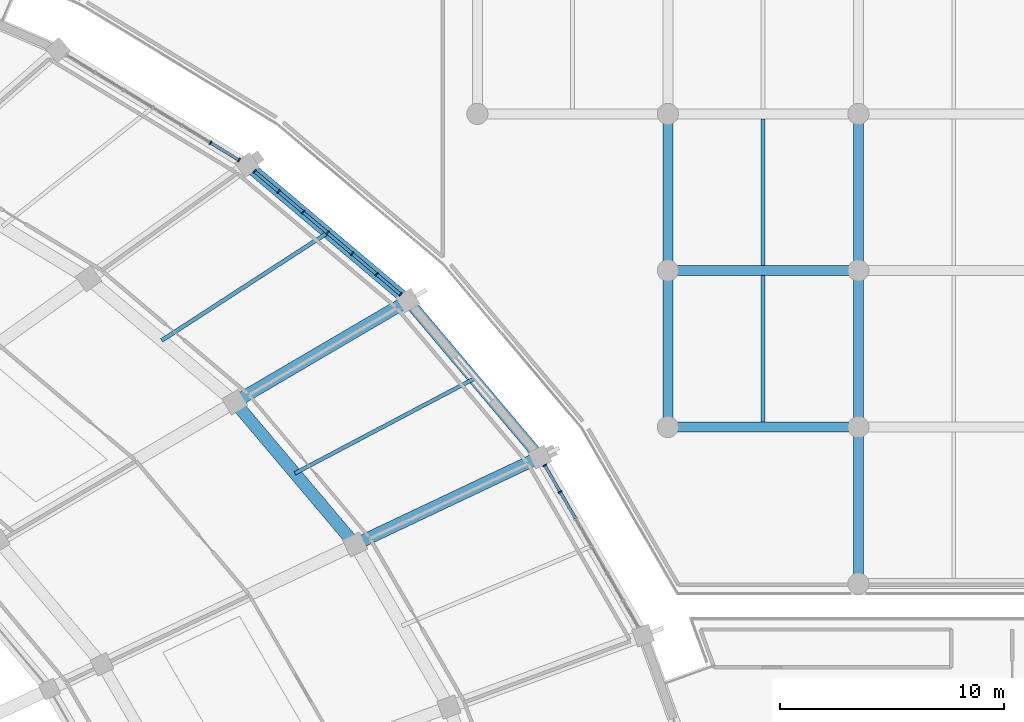
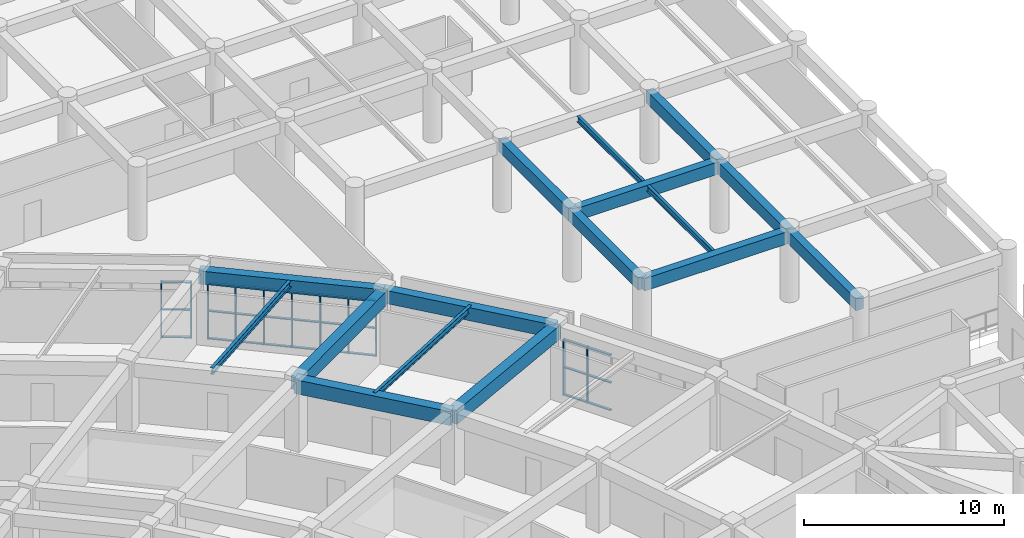
# One storey, part 75 of 145: 38 members, 16 beams, 3 elements without a shape of their own.
"""IFC4 building model written with IfcOpenShell, lengths in metres."""

from ifc_helpers import new_model, si_unit, direction, frame, origin, origin_2d, place, context, subcontext, project, spatial, rectangle, i_section, extrude, material, layer, layer_set, material_profile, profile_set, type_object, element, aggregate, save


model = new_model("IFC4")

# Units and contexts
model_context = context("Model", 3, precision=1e-05, world=origin(), true_north=direction((0.0, 1.0)))
body_context = subcontext(model_context, "Body", "Model", "MODEL_VIEW")
ifc_project = project(units=[si_unit("LENGTHUNIT", "METRE"), si_unit("AREAUNIT", "SQUARE_METRE"), si_unit("VOLUMEUNIT", "CUBIC_METRE"), si_unit("PLANEANGLEUNIT", "RADIAN"), si_unit("MASSUNIT", "GRAM", prefix="KILO")], contexts=[model_context])

# Site, building, storey
site_placement = place(None, origin())
site = spatial("IfcSite", under=ifc_project, at=site_placement, CompositionType="ELEMENT")
building_placement = place(site_placement, origin())
building = spatial("IfcBuilding", under=site, at=building_placement, Name="Mphavela Belvedere Stadium", CompositionType="ELEMENT")
storey_placement = place(building_placement, frame((0.0, 0.0, 10.199951171875)))
storey = spatial("IfcBuildingStorey", under=building, at=storey_placement, Name="L02", CompositionType="ELEMENT", Elevation=10.199951171875)

# Beams
ifc_material_1 = material(Name="Steel S355", Category="steel")
ifc_material_profile_1 = material_profile(ifc_material_1, i_section(OverallWidth=0.169921875, OverallDepth=0.360107421875, WebThickness=0.008056640625, FlangeThickness=0.0126953125, at=origin_2d()), Name="IPE 360")
ifc_profile_set_1 = profile_set([ifc_material_profile_1], Name="Steel S355")
beam_type_1 = type_object("IfcBeamType", Name="BM-JOIST-IPE360", PredefinedType="JOIST", material=ifc_profile_set_1)
beam_1_placement = place(storey_placement, frame((196.2880859375, 129.93115234375, 4.070068359375), z_axis=(0.884250771824, 0.467012390123, 0.0), x_axis=(-0.467012390123, 0.884250771824, 0.0)))
element("IfcBeam", 1, at=beam_1_placement, inside=storey, type_object=beam_type_1, Name="Concourse floor joist L02-05", PredefinedType="JOIST", context=body_context, shape_type="SweptSolid", body=[
    extrude(i_section(OverallWidth=0.169921875, OverallDepth=0.360107421875, WebThickness=0.008056640625, FlangeThickness=0.0126953125, at=origin_2d()), origin(), (0.0, 0.0, 1.0), 9.0498046875),
])
for number, where, z_axis, x_axis, name in (
    (2, (217.221923828125, 132.22509765625, 4.06005859375), (0.0, 1.0, 0.0), (-1.0, 0.0, 0.0), "North Mast and Ceremonial End Forecourt secondary joist L02 26-2"),
    (3, (217.221923828125, 139.22509765625, 4.06005859375), (0.0, 1.0, 0.0), (-1.0, 0.0, 0.0), "North Mast and Ceremonial End Forecourt secondary joist L02 26-3"),
):
    element("IfcBeam", number, at=place(storey_placement, frame(where, z_axis=z_axis, x_axis=x_axis)), inside=storey, type_object=beam_type_1, Name=name, PredefinedType="JOIST", context=body_context, shape_type="SweptSolid", body=[
        extrude(i_section(OverallWidth=0.169921875, OverallDepth=0.360107421875, WebThickness=0.008056640625, FlangeThickness=0.0126953125, at=origin_2d()), origin(), (0.0, 0.0, 1.0), 6.5498046875),
    ])
ifc_material_2 = material(Name="Steel S355", Category="steel")
ifc_material_profile_2 = material_profile(ifc_material_2, i_section(OverallWidth=0.179931640625, OverallDepth=0.39990234375, WebThickness=0.008544921875, FlangeThickness=0.013427734375, at=origin_2d()), Name="IPE 400")
ifc_profile_set_2 = profile_set([ifc_material_profile_2], Name="Steel S355")
beam_type_2 = type_object("IfcBeamType", Name="BM-JOIST-IPE400", PredefinedType="JOIST", material=ifc_profile_set_2)
beam_2_placement = place(storey_placement, frame((190.330810546875, 135.872802734375, 4.050048828125), z_axis=(0.838915278194, 0.544262028818, 0.0), x_axis=(-0.544262028818, 0.838915278194, 0.0)))
element("IfcBeam", 4, at=beam_2_placement, inside=storey, type_object=beam_type_2, Name="Concourse floor joist L02-06", PredefinedType="JOIST", context=body_context, shape_type="SweptSolid", body=[
    extrude(i_section(OverallWidth=0.179931640625, OverallDepth=0.39990234375, WebThickness=0.008544921875, FlangeThickness=0.013427734375, at=origin_2d()), origin(), (0.0, 0.0, 1.0), 8.840087890625),
])
ifc_material_3 = material(Name="Concrete C40/50", Category="concrete")
ifc_material_profile_3 = material_profile(ifc_material_3, rectangle(XDim=0.449951171875, YDim=0.75, at=origin_2d()), Name="RC 450x750")
ifc_profile_set_3 = profile_set([ifc_material_profile_3], Name="Concrete C40/50")
beam_type_3 = type_object("IfcBeamType", Name="BM-RC450x750", PredefinedType="BEAM", material=ifc_profile_set_3)
beam_3_placement = place(storey_placement, frame((212.962890625, 132.0, 3.864990234375), z_axis=(1.0, 0.0, 0.0), x_axis=(0.0, 1.0, 0.0)))
element("IfcBeam", 5, at=beam_3_placement, inside=storey, type_object=beam_type_3, Name="North Mast and Ceremonial End Forecourt entablature beam X L02 26-2", PredefinedType="BEAM", context=body_context, shape_type="SweptSolid", body=[
    extrude(rectangle(XDim=0.449951171875, YDim=0.75, at=origin_2d()), origin(), (0.0, 0.0, 1.0), 8.51806640625),
])
beam_4_placement = place(storey_placement, frame((212.962890625, 132.0, 3.864990234375), z_axis=(0.0, 1.0, 0.0), x_axis=(-1.0, 0.0, 0.0)))
element("IfcBeam", 6, at=beam_4_placement, inside=storey, type_object=beam_type_3, Name="North Mast and Ceremonial End Forecourt entablature beam Y L02 26-2", PredefinedType="BEAM", context=body_context, shape_type="SweptSolid", body=[
    extrude(rectangle(XDim=0.449951171875, YDim=0.75, at=origin_2d()), origin(), (0.0, 0.0, 1.0), 7.0),
])
beam_5_placement = place(storey_placement, frame((212.962890625, 139.0, 3.864990234375), z_axis=(1.0, 0.0, 0.0), x_axis=(0.0, 1.0, 0.0)))
element("IfcBeam", 7, at=beam_5_placement, inside=storey, type_object=beam_type_3, Name="North Mast and Ceremonial End Forecourt entablature beam X L02 26-3", PredefinedType="BEAM", context=body_context, shape_type="SweptSolid", body=[
    extrude(rectangle(XDim=0.449951171875, YDim=0.75, at=origin_2d()), origin(), (0.0, 0.0, 1.0), 8.51806640625),
])
for number, where, z_axis, x_axis, name in (
    (8, (212.962890625, 139.0, 3.864990234375), (0.0, 1.0, 0.0), (-1.0, 0.0, 0.0), "North Mast and Ceremonial End Forecourt entablature beam Y L02 26-3"),
    (9, (221.48095703125, 125.0, 3.864990234375), (0.0, 1.0, 0.0), (-1.0, 0.0, 0.0), "North Mast and Ceremonial End Forecourt entablature beam Y L02 27-1"),
    (10, (221.48095703125, 132.0, 3.864990234375), (0.0, 1.0, 0.0), (-1.0, 0.0, 0.0), "North Mast and Ceremonial End Forecourt entablature beam Y L02 27-2"),
    (11, (221.48095703125, 139.0, 3.864990234375), (0.0, 1.0, 0.0), (-1.0, 0.0, 0.0), "North Mast and Ceremonial End Forecourt entablature beam Y L02 27-3"),
):
    element("IfcBeam", number, at=place(storey_placement, frame(where, z_axis=z_axis, x_axis=x_axis)), inside=storey, type_object=beam_type_3, Name=name, PredefinedType="BEAM", context=body_context, shape_type="SweptSolid", body=[
        extrude(rectangle(XDim=0.449951171875, YDim=0.75, at=origin_2d()), origin(), (0.0, 0.0, 1.0), 7.0),
    ])
ifc_material_4 = material(Name="Concrete C40/50", Category="concrete")
ifc_material_profile_4 = material_profile(ifc_material_4, rectangle(XDim=0.550048828125, YDim=0.85009765625, at=origin_2d()), Name="RC 550x850")
ifc_profile_set_4 = profile_set([ifc_material_profile_4], Name="Concrete C40/50")
beam_type_4 = type_object("IfcBeamType", Name="BM-RC550x850", PredefinedType="BEAM", material=ifc_profile_set_4)
beam_6_placement = place(storey_placement, frame((198.9755859375, 126.748291015625, 3.824951171875), z_axis=(-0.645177396673, 0.764032804808, 0.0), x_axis=(-0.764032804808, -0.645177396673, 0.0)))
element("IfcBeam", 12, at=beam_6_placement, inside=storey, type_object=beam_type_4, Name="Circumferential girder L02 R3-05", PredefinedType="BEAM", context=body_context, shape_type="SweptSolid", body=[
    extrude(rectangle(XDim=0.550048828125, YDim=0.85009765625, at=origin_2d()), origin(), (0.0, 0.0, 1.0), 8.331298828125),
])
beam_7_placement = place(storey_placement, frame((198.9755859375, 126.748291015625, 3.824951171875), z_axis=(0.903845427073, 0.427859140325, 0.0), x_axis=(-0.427859140325, 0.903845427073, 0.0)))
element("IfcBeam", 13, at=beam_7_placement, inside=storey, type_object=beam_type_4, Name="Radial concourse girder L02 R3R4-05", PredefinedType="BEAM", context=body_context, shape_type="SweptSolid", body=[
    extrude(rectangle(XDim=0.550048828125, YDim=0.85009765625, at=origin_2d()), origin(), (0.0, 0.0, 1.0), 9.146240234375),
])
beam_8_placement = place(storey_placement, frame((193.600341796875, 133.11376953125, 3.824951171875), z_axis=(0.862517779395, 0.506026758411, 0.0), x_axis=(-0.506026758411, 0.862517779395, 0.0)))
element("IfcBeam", 14, at=beam_8_placement, inside=storey, type_object=beam_type_4, Name="Radial concourse girder L02 R3R4-06", PredefinedType="BEAM", context=body_context, shape_type="SweptSolid", body=[
    extrude(rectangle(XDim=0.550048828125, YDim=0.85009765625, at=origin_2d()), origin(), (0.0, 0.0, 1.0), 8.971435546875),
])
ifc_material_5 = material(Name="Concrete C40/50", Category="concrete")
ifc_material_profile_5 = material_profile(ifc_material_5, rectangle(XDim=0.5, YDim=0.800048828125, at=origin_2d()), Name="RC 500x800")
ifc_profile_set_5 = profile_set([ifc_material_profile_5], Name="Concrete C40/50")
beam_type_5 = type_object("IfcBeamType", Name="BM-SPANDREL-800", PredefinedType="SPANDREL", material=ifc_profile_set_5)
beam_9_placement = place(storey_placement, frame((207.242431640625, 130.66162109375, 3.85009765625), z_axis=(-0.645164552218, 0.764043650952, 0.0), x_axis=(-0.764043650952, -0.645164552218, 0.0)))
element("IfcBeam", 15, at=beam_9_placement, inside=storey, type_object=beam_type_5, Name="Circumferential girder L02 R4-05", PredefinedType="SPANDREL", context=body_context, shape_type="SweptSolid", body=[
    extrude(rectangle(XDim=0.5, YDim=0.800048828125, at=origin_2d()), origin(), (0.0, 0.0, 1.0), 9.151123046875),
])
beam_10_placement = place(storey_placement, frame((201.33837890625, 137.653564453125, 3.85009765625), z_axis=(-0.76426547638, 0.644901761212, 0.0), x_axis=(-0.644901761212, -0.76426547638, 0.0)))
element("IfcBeam", 16, at=beam_10_placement, inside=storey, type_object=beam_type_5, Name="Circumferential girder L02 R4-06", PredefinedType="SPANDREL", context=body_context, shape_type="SweptSolid", body=[
    extrude(rectangle(XDim=0.5, YDim=0.800048828125, at=origin_2d()), origin(), (0.0, 0.0, 1.0), 9.3984375),
])

# Curtain wall, members
ifc_material_6 = material(Name="Anodised bronze unitised curtain wall framing")
ifc_layer_1 = layer(ifc_material_6, 0.18505859375)
ifc_layer_set_1 = layer_set([ifc_layer_1], Name="Anodised bronze unitised curtain wall framing")
curtain_wall_type_1 = type_object("IfcCurtainWallType", Name="CW-UNIT-02", PredefinedType="USERDEFINED", material=ifc_layer_set_1)
curtain_wall_1_placement = place(storey_placement, origin())
curtain_wall_1 = element("IfcCurtainWall", 17, at=curtain_wall_1_placement, inside=storey, type_object=curtain_wall_type_1, Name="Belvedere colonnade curtain wall L02-04", ObjectType="UNITISED CURTAIN WALL", PredefinedType="USERDEFINED")
ifc_material_7 = material(Name="Anodised bronze extruded aluminium", Category="aluminium")
ifc_material_profile_6 = material_profile(ifc_material_7, rectangle(XDim=0.179931640625, YDim=0.06494140625, at=origin_2d()), Name="CW-MUL 180x65")
ifc_profile_set_6 = profile_set([ifc_material_profile_6], Name="Anodised bronze extruded aluminium")
member_type_1 = type_object("IfcMemberType", Name="CWM-180x65", PredefinedType="MULLION", material=ifc_profile_set_6)
member_1_placement = place(storey_placement, frame((208.144287109375, 129.101806640625, 0.0), z_axis=(0.0, 0.0, 1.0), x_axis=(-0.865700418213, -0.500562469533, 0.0)))
member_1 = element("IfcMember", 18, at=member_1_placement, type_object=member_type_1, Name="CW-02 mullion 6", PredefinedType="MULLION", context=body_context, shape_type="SweptSolid", body=[
    extrude(rectangle(XDim=0.179931640625, YDim=0.06494140625, at=origin_2d()), origin(), (0.0, 0.0, 1.0), 3.420166015625),
])
member_2_placement = place(storey_placement, frame((207.4580078125, 130.288818359375, 0.0), z_axis=(0.0, 0.0, 1.0), x_axis=(-0.865700418213, -0.500562469533, 0.0)))
member_2 = element("IfcMember", 19, at=member_2_placement, type_object=member_type_1, Name="CW-02 mullion 7", PredefinedType="MULLION", context=body_context, shape_type="SweptSolid", body=[
    extrude(rectangle(XDim=0.179931640625, YDim=0.06494140625, at=origin_2d()), origin(), (0.0, 0.0, 1.0), 3.420166015625),
])

ifc_material_8 = material(Name="Anodised bronze unitised curtain wall framing")
ifc_layer_2 = layer(ifc_material_8, 0.18994140625)
ifc_layer_set_2 = layer_set([ifc_layer_2], Name="Anodised bronze unitised curtain wall framing")
curtain_wall_type_2 = type_object("IfcCurtainWallType", Name="CW-UNIT-03", PredefinedType="USERDEFINED", material=ifc_layer_set_2)
curtain_wall_2_placement = place(storey_placement, origin())
curtain_wall_2 = element("IfcCurtainWall", 20, at=curtain_wall_2_placement, inside=storey, type_object=curtain_wall_type_2, Name="Belvedere colonnade curtain wall L02-06", ObjectType="UNITISED CURTAIN WALL", PredefinedType="USERDEFINED")
member_3_placement = place(storey_placement, frame((201.00927734375, 137.93115234375, 0.0), z_axis=(0.0, 0.0, 1.0), x_axis=(-0.644907225915, -0.764260865126, 0.0)))
member_3 = element("IfcMember", 21, at=member_3_placement, type_object=member_type_1, Name="CW-03 mullion 1", PredefinedType="MULLION", context=body_context, shape_type="SweptSolid", body=[
    extrude(rectangle(XDim=0.179931640625, YDim=0.06494140625, at=origin_2d()), origin(), (0.0, 0.0, 1.0), 3.420166015625),
])
member_4_placement = place(storey_placement, frame((199.9384765625, 138.834716796875, 0.0), z_axis=(0.0, 0.0, 1.0), x_axis=(-0.644907225915, -0.764260865126, 0.0)))
member_4 = element("IfcMember", 22, at=member_4_placement, type_object=member_type_1, Name="CW-03 mullion 2", PredefinedType="MULLION", context=body_context, shape_type="SweptSolid", body=[
    extrude(rectangle(XDim=0.179931640625, YDim=0.06494140625, at=origin_2d()), origin(), (0.0, 0.0, 1.0), 3.420166015625),
])
member_5_placement = place(storey_placement, frame((198.8427734375, 139.759521484375, 0.0), z_axis=(0.0, 0.0, 1.0), x_axis=(-0.644907225915, -0.764260865126, 0.0)))
member_5 = element("IfcMember", 23, at=member_5_placement, type_object=member_type_1, Name="CW-03 mullion 3", PredefinedType="MULLION", context=body_context, shape_type="SweptSolid", body=[
    extrude(rectangle(XDim=0.179931640625, YDim=0.06494140625, at=origin_2d()), origin(), (0.0, 0.0, 1.0), 3.420166015625),
])
member_6_placement = place(storey_placement, frame((197.7470703125, 140.68408203125, 0.0), z_axis=(0.0, 0.0, 1.0), x_axis=(-0.644907225915, -0.764260865126, 0.0)))
member_6 = element("IfcMember", 24, at=member_6_placement, type_object=member_type_1, Name="CW-03 mullion 4", PredefinedType="MULLION", context=body_context, shape_type="SweptSolid", body=[
    extrude(rectangle(XDim=0.179931640625, YDim=0.06494140625, at=origin_2d()), origin(), (0.0, 0.0, 1.0), 3.420166015625),
])
member_7_placement = place(storey_placement, frame((196.651123046875, 141.608642578125, 0.0), z_axis=(0.0, 0.0, 1.0), x_axis=(-0.644907225915, -0.764260865126, 0.0)))
member_7 = element("IfcMember", 25, at=member_7_placement, type_object=member_type_1, Name="CW-03 mullion 5", PredefinedType="MULLION", context=body_context, shape_type="SweptSolid", body=[
    extrude(rectangle(XDim=0.179931640625, YDim=0.06494140625, at=origin_2d()), origin(), (0.0, 0.0, 1.0), 3.420166015625),
])
member_8_placement = place(storey_placement, frame((195.555419921875, 142.533203125, 0.0), z_axis=(0.0, 0.0, 1.0), x_axis=(-0.644907225915, -0.764260865126, 0.0)))
member_8 = element("IfcMember", 26, at=member_8_placement, type_object=member_type_1, Name="CW-03 mullion 6", PredefinedType="MULLION", context=body_context, shape_type="SweptSolid", body=[
    extrude(rectangle(XDim=0.179931640625, YDim=0.06494140625, at=origin_2d()), origin(), (0.0, 0.0, 1.0), 3.420166015625),
])
member_9_placement = place(storey_placement, frame((194.484619140625, 143.436767578125, 0.0), z_axis=(0.0, 0.0, 1.0), x_axis=(-0.644907225915, -0.764260865126, 0.0)))
member_9 = element("IfcMember", 27, at=member_9_placement, type_object=member_type_1, Name="CW-03 mullion 7", PredefinedType="MULLION", context=body_context, shape_type="SweptSolid", body=[
    extrude(rectangle(XDim=0.179931640625, YDim=0.06494140625, at=origin_2d()), origin(), (0.0, 0.0, 1.0), 3.420166015625),
])

ifc_material_9 = material(Name="Anodised bronze unitised curtain wall framing")
ifc_layer_3 = layer(ifc_material_9, 0.195068359375)
ifc_layer_set_3 = layer_set([ifc_layer_3], Name="Anodised bronze unitised curtain wall framing")
curtain_wall_type_3 = type_object("IfcCurtainWallType", Name="CW-UNIT-04", PredefinedType="USERDEFINED", material=ifc_layer_set_3)
curtain_wall_3_placement = place(storey_placement, origin())
curtain_wall_3 = element("IfcCurtainWall", 28, at=curtain_wall_3_placement, inside=storey, type_object=curtain_wall_type_3, Name="Belvedere colonnade curtain wall L02-07", ObjectType="UNITISED CURTAIN WALL", PredefinedType="USERDEFINED")
member_10_placement = place(storey_placement, frame((193.787841796875, 143.938232421875, 0.0), z_axis=(0.0, 0.0, 1.0), x_axis=(-0.519731623633, -0.85432958476, 0.0)))
member_10 = element("IfcMember", 29, at=member_10_placement, type_object=member_type_1, Name="CW-04 mullion 1", PredefinedType="MULLION", context=body_context, shape_type="SweptSolid", body=[
    extrude(rectangle(XDim=0.179931640625, YDim=0.06494140625, at=origin_2d()), origin(), (0.0, 0.0, 1.0), 3.420166015625),
])
member_11_placement = place(storey_placement, frame((192.51904296875, 144.710205078125, 0.0), z_axis=(0.0, 0.0, 1.0), x_axis=(-0.519731623633, -0.85432958476, 0.0)))
member_11 = element("IfcMember", 30, at=member_11_placement, type_object=member_type_1, Name="CW-04 mullion 2", PredefinedType="MULLION", context=body_context, shape_type="SweptSolid", body=[
    extrude(rectangle(XDim=0.179931640625, YDim=0.06494140625, at=origin_2d()), origin(), (0.0, 0.0, 1.0), 3.420166015625),
])

# Member
ifc_material_10 = material(Name="Anodised bronze extruded aluminium", Category="aluminium")
ifc_material_profile_7 = material_profile(ifc_material_10, rectangle(XDim=0.139892578125, YDim=0.06005859375, at=origin_2d()), Name="CW-TRN 140x60")
ifc_profile_set_7 = profile_set([ifc_material_profile_7], Name="Anodised bronze extruded aluminium")
member_type_2 = type_object("IfcMemberType", Name="CWT-140x60", PredefinedType="USERDEFINED", material=ifc_profile_set_7)
member_12_placement = place(storey_placement, frame((208.83056640625, 127.9150390625, 0.030029296875), z_axis=(-0.500669546967, 0.865638495412, 0.0), x_axis=(-0.865638495412, -0.500669546967, 0.0)))
member_12 = element("IfcMember", 31, at=member_12_placement, type_object=member_type_2, Name="CW-02 transom 5.1", ObjectType="TRANSOM", PredefinedType="USERDEFINED", context=body_context, shape_type="SweptSolid", body=[
    extrude(rectangle(XDim=0.139892578125, YDim=0.06005859375, at=origin_2d()), origin(), (0.0, 0.0, 1.0), 1.338623046875),
])

member_13_placement = place(storey_placement, frame((208.83056640625, 127.9150390625, 1.7099609375), z_axis=(-0.500669546967, 0.865638495412, 0.0), x_axis=(-0.865638495412, -0.500669546967, 0.0)))
member_13 = element("IfcMember", 32, at=member_13_placement, type_object=member_type_2, Name="CW-02 transom 5.2", ObjectType="TRANSOM", PredefinedType="USERDEFINED", context=body_context, shape_type="SweptSolid", body=[
    extrude(rectangle(XDim=0.139892578125, YDim=0.06005859375, at=origin_2d()), origin(), (0.0, 0.0, 1.0), 1.338623046875),
])

member_14_placement = place(storey_placement, frame((208.83056640625, 127.9150390625, 3.39013671875), z_axis=(-0.500669546967, 0.865638495412, 0.0), x_axis=(-0.865638495412, -0.500669546967, 0.0)))
member_14 = element("IfcMember", 33, at=member_14_placement, type_object=member_type_2, Name="CW-02 transom 5.3", ObjectType="TRANSOM", PredefinedType="USERDEFINED", context=body_context, shape_type="SweptSolid", body=[
    extrude(rectangle(XDim=0.139892578125, YDim=0.06005859375, at=origin_2d()), origin(), (0.0, 0.0, 1.0), 1.338623046875),
])

member_15_placement = place(storey_placement, frame((208.1279296875, 129.130126953125, 0.030029296875), z_axis=(-0.5006014568, 0.865677873952, 0.0), x_axis=(-0.865677873952, -0.5006014568, 0.0)))
member_15 = element("IfcMember", 34, at=member_15_placement, type_object=member_type_2, Name="CW-02 transom 6.1", ObjectType="TRANSOM", PredefinedType="USERDEFINED", context=body_context, shape_type="SweptSolid", body=[
    extrude(rectangle(XDim=0.139892578125, YDim=0.06005859375, at=origin_2d()), origin(), (0.0, 0.0, 1.0), 1.30615234375),
])

member_16_placement = place(storey_placement, frame((208.1279296875, 129.130126953125, 1.7099609375), z_axis=(-0.5006014568, 0.865677873952, 0.0), x_axis=(-0.865677873952, -0.5006014568, 0.0)))
member_16 = element("IfcMember", 35, at=member_16_placement, type_object=member_type_2, Name="CW-02 transom 6.2", ObjectType="TRANSOM", PredefinedType="USERDEFINED", context=body_context, shape_type="SweptSolid", body=[
    extrude(rectangle(XDim=0.139892578125, YDim=0.06005859375, at=origin_2d()), origin(), (0.0, 0.0, 1.0), 1.30615234375),
])

member_17_placement = place(storey_placement, frame((208.1279296875, 129.130126953125, 3.39013671875), z_axis=(-0.5006014568, 0.865677873952, 0.0), x_axis=(-0.865677873952, -0.5006014568, 0.0)))
member_17 = element("IfcMember", 36, at=member_17_placement, type_object=member_type_2, Name="CW-02 transom 6.3", ObjectType="TRANSOM", PredefinedType="USERDEFINED", context=body_context, shape_type="SweptSolid", body=[
    extrude(rectangle(XDim=0.139892578125, YDim=0.06005859375, at=origin_2d()), origin(), (0.0, 0.0, 1.0), 1.30615234375),
])

aggregate(curtain_wall_1, [member_1, member_2, member_12, member_13, member_14, member_15, member_16, member_17])

member_18_placement = place(storey_placement, frame((200.984375, 137.9521484375, 0.030029296875), z_axis=(-0.764328068464, 0.644827576766, 0.0), x_axis=(-0.644827576766, -0.764328068464, 0.0)))
member_18 = element("IfcMember", 37, at=member_18_placement, type_object=member_type_2, Name="CW-03 transom 1.1", ObjectType="TRANSOM", PredefinedType="USERDEFINED", context=body_context, shape_type="SweptSolid", body=[
    extrude(rectangle(XDim=0.139892578125, YDim=0.06005859375, at=origin_2d()), origin(), (0.0, 0.0, 1.0), 1.336181640625),
])

member_19_placement = place(storey_placement, frame((200.984375, 137.9521484375, 1.7099609375), z_axis=(-0.764328068464, 0.644827576766, 0.0), x_axis=(-0.644827576766, -0.764328068464, 0.0)))
member_19 = element("IfcMember", 38, at=member_19_placement, type_object=member_type_2, Name="CW-03 transom 1.2", ObjectType="TRANSOM", PredefinedType="USERDEFINED", context=body_context, shape_type="SweptSolid", body=[
    extrude(rectangle(XDim=0.139892578125, YDim=0.06005859375, at=origin_2d()), origin(), (0.0, 0.0, 1.0), 1.336181640625),
])

member_20_placement = place(storey_placement, frame((200.984375, 137.9521484375, 3.39013671875), z_axis=(-0.764328068464, 0.644827576766, 0.0), x_axis=(-0.644827576766, -0.764328068464, 0.0)))
member_20 = element("IfcMember", 39, at=member_20_placement, type_object=member_type_2, Name="CW-03 transom 1.3", ObjectType="TRANSOM", PredefinedType="USERDEFINED", context=body_context, shape_type="SweptSolid", body=[
    extrude(rectangle(XDim=0.139892578125, YDim=0.06005859375, at=origin_2d()), origin(), (0.0, 0.0, 1.0), 1.336181640625),
])

member_21_placement = place(storey_placement, frame((199.91357421875, 138.855712890625, 0.030029296875), z_axis=(-0.764244781983, 0.644926285099, 0.0), x_axis=(-0.644926285099, -0.764244781983, 0.0)))
member_21 = element("IfcMember", 40, at=member_21_placement, type_object=member_type_2, Name="CW-03 transom 2.1", ObjectType="TRANSOM", PredefinedType="USERDEFINED", context=body_context, shape_type="SweptSolid", body=[
    extrude(rectangle(XDim=0.139892578125, YDim=0.06005859375, at=origin_2d()), origin(), (0.0, 0.0, 1.0), 1.368896484375),
])

member_22_placement = place(storey_placement, frame((199.91357421875, 138.855712890625, 1.7099609375), z_axis=(-0.764244781983, 0.644926285099, 0.0), x_axis=(-0.644926285099, -0.764244781983, 0.0)))
member_22 = element("IfcMember", 41, at=member_22_placement, type_object=member_type_2, Name="CW-03 transom 2.2", ObjectType="TRANSOM", PredefinedType="USERDEFINED", context=body_context, shape_type="SweptSolid", body=[
    extrude(rectangle(XDim=0.139892578125, YDim=0.06005859375, at=origin_2d()), origin(), (0.0, 0.0, 1.0), 1.368896484375),
])

member_23_placement = place(storey_placement, frame((199.91357421875, 138.855712890625, 3.39013671875), z_axis=(-0.764244781983, 0.644926285099, 0.0), x_axis=(-0.644926285099, -0.764244781983, 0.0)))
member_23 = element("IfcMember", 42, at=member_23_placement, type_object=member_type_2, Name="CW-03 transom 2.3", ObjectType="TRANSOM", PredefinedType="USERDEFINED", context=body_context, shape_type="SweptSolid", body=[
    extrude(rectangle(XDim=0.139892578125, YDim=0.06005859375, at=origin_2d()), origin(), (0.0, 0.0, 1.0), 1.368896484375),
])

member_24_placement = place(storey_placement, frame((198.81787109375, 139.7802734375, 0.030029296875), z_axis=(-0.764244781983, 0.644926285099, 0.0), x_axis=(-0.644926285099, -0.764244781983, 0.0)))
member_24 = element("IfcMember", 43, at=member_24_placement, type_object=member_type_2, Name="CW-03 transom 3.1", ObjectType="TRANSOM", PredefinedType="USERDEFINED", context=body_context, shape_type="SweptSolid", body=[
    extrude(rectangle(XDim=0.139892578125, YDim=0.06005859375, at=origin_2d()), origin(), (0.0, 0.0, 1.0), 1.368896484375),
])

member_25_placement = place(storey_placement, frame((198.81787109375, 139.7802734375, 1.7099609375), z_axis=(-0.764244781983, 0.644926285099, 0.0), x_axis=(-0.644926285099, -0.764244781983, 0.0)))
member_25 = element("IfcMember", 44, at=member_25_placement, type_object=member_type_2, Name="CW-03 transom 3.2", ObjectType="TRANSOM", PredefinedType="USERDEFINED", context=body_context, shape_type="SweptSolid", body=[
    extrude(rectangle(XDim=0.139892578125, YDim=0.06005859375, at=origin_2d()), origin(), (0.0, 0.0, 1.0), 1.368896484375),
])

member_26_placement = place(storey_placement, frame((198.81787109375, 139.7802734375, 3.39013671875), z_axis=(-0.764244781983, 0.644926285099, 0.0), x_axis=(-0.644926285099, -0.764244781983, 0.0)))
member_26 = element("IfcMember", 45, at=member_26_placement, type_object=member_type_2, Name="CW-03 transom 3.3", ObjectType="TRANSOM", PredefinedType="USERDEFINED", context=body_context, shape_type="SweptSolid", body=[
    extrude(rectangle(XDim=0.139892578125, YDim=0.06005859375, at=origin_2d()), origin(), (0.0, 0.0, 1.0), 1.368896484375),
])

member_27_placement = place(storey_placement, frame((197.72216796875, 140.705078125, 0.030029296875), z_axis=(-0.764332692147, 0.644822096175, 0.0), x_axis=(-0.644822096175, -0.764332692147, 0.0)))
member_27 = element("IfcMember", 46, at=member_27_placement, type_object=member_type_2, Name="CW-03 transom 4.1", ObjectType="TRANSOM", PredefinedType="USERDEFINED", context=body_context, shape_type="SweptSolid", body=[
    extrude(rectangle(XDim=0.139892578125, YDim=0.06005859375, at=origin_2d()), origin(), (0.0, 0.0, 1.0), 1.36865234375),
])

member_28_placement = place(storey_placement, frame((197.72216796875, 140.705078125, 1.7099609375), z_axis=(-0.764332692147, 0.644822096175, 0.0), x_axis=(-0.644822096175, -0.764332692147, 0.0)))
member_28 = element("IfcMember", 47, at=member_28_placement, type_object=member_type_2, Name="CW-03 transom 4.2", ObjectType="TRANSOM", PredefinedType="USERDEFINED", context=body_context, shape_type="SweptSolid", body=[
    extrude(rectangle(XDim=0.139892578125, YDim=0.06005859375, at=origin_2d()), origin(), (0.0, 0.0, 1.0), 1.36865234375),
])

member_29_placement = place(storey_placement, frame((197.72216796875, 140.705078125, 3.39013671875), z_axis=(-0.764332692147, 0.644822096175, 0.0), x_axis=(-0.644822096175, -0.764332692147, 0.0)))
member_29 = element("IfcMember", 48, at=member_29_placement, type_object=member_type_2, Name="CW-03 transom 4.3", ObjectType="TRANSOM", PredefinedType="USERDEFINED", context=body_context, shape_type="SweptSolid", body=[
    extrude(rectangle(XDim=0.139892578125, YDim=0.06005859375, at=origin_2d()), origin(), (0.0, 0.0, 1.0), 1.36865234375),
])

member_30_placement = place(storey_placement, frame((196.62646484375, 141.629638671875, 0.030029296875), z_axis=(-0.764332692147, 0.644822096175, 0.0), x_axis=(-0.644822096175, -0.764332692147, 0.0)))
member_30 = element("IfcMember", 49, at=member_30_placement, type_object=member_type_2, Name="CW-03 transom 5.1", ObjectType="TRANSOM", PredefinedType="USERDEFINED", context=body_context, shape_type="SweptSolid", body=[
    extrude(rectangle(XDim=0.139892578125, YDim=0.06005859375, at=origin_2d()), origin(), (0.0, 0.0, 1.0), 1.36865234375),
])

member_31_placement = place(storey_placement, frame((196.62646484375, 141.629638671875, 1.7099609375), z_axis=(-0.764332692147, 0.644822096175, 0.0), x_axis=(-0.644822096175, -0.764332692147, 0.0)))
member_31 = element("IfcMember", 50, at=member_31_placement, type_object=member_type_2, Name="CW-03 transom 5.2", ObjectType="TRANSOM", PredefinedType="USERDEFINED", context=body_context, shape_type="SweptSolid", body=[
    extrude(rectangle(XDim=0.139892578125, YDim=0.06005859375, at=origin_2d()), origin(), (0.0, 0.0, 1.0), 1.36865234375),
])

member_32_placement = place(storey_placement, frame((196.62646484375, 141.629638671875, 3.39013671875), z_axis=(-0.764332692147, 0.644822096175, 0.0), x_axis=(-0.644822096175, -0.764332692147, 0.0)))
member_32 = element("IfcMember", 51, at=member_32_placement, type_object=member_type_2, Name="CW-03 transom 5.3", ObjectType="TRANSOM", PredefinedType="USERDEFINED", context=body_context, shape_type="SweptSolid", body=[
    extrude(rectangle(XDim=0.139892578125, YDim=0.06005859375, at=origin_2d()), origin(), (0.0, 0.0, 1.0), 1.36865234375),
])

member_33_placement = place(storey_placement, frame((195.53076171875, 142.55419921875, 0.030029296875), z_axis=(-0.764328068464, 0.644827576766, 0.0), x_axis=(-0.644827576766, -0.764328068464, 0.0)))
member_33 = element("IfcMember", 52, at=member_33_placement, type_object=member_type_2, Name="CW-03 transom 6.1", ObjectType="TRANSOM", PredefinedType="USERDEFINED", context=body_context, shape_type="SweptSolid", body=[
    extrude(rectangle(XDim=0.139892578125, YDim=0.06005859375, at=origin_2d()), origin(), (0.0, 0.0, 1.0), 1.336181640625),
])

member_34_placement = place(storey_placement, frame((195.53076171875, 142.55419921875, 1.7099609375), z_axis=(-0.764328068464, 0.644827576766, 0.0), x_axis=(-0.644827576766, -0.764328068464, 0.0)))
member_34 = element("IfcMember", 53, at=member_34_placement, type_object=member_type_2, Name="CW-03 transom 6.2", ObjectType="TRANSOM", PredefinedType="USERDEFINED", context=body_context, shape_type="SweptSolid", body=[
    extrude(rectangle(XDim=0.139892578125, YDim=0.06005859375, at=origin_2d()), origin(), (0.0, 0.0, 1.0), 1.336181640625),
])

member_35_placement = place(storey_placement, frame((195.53076171875, 142.55419921875, 3.39013671875), z_axis=(-0.764328068464, 0.644827576766, 0.0), x_axis=(-0.644827576766, -0.764328068464, 0.0)))
member_35 = element("IfcMember", 54, at=member_35_placement, type_object=member_type_2, Name="CW-03 transom 6.3", ObjectType="TRANSOM", PredefinedType="USERDEFINED", context=body_context, shape_type="SweptSolid", body=[
    extrude(rectangle(XDim=0.139892578125, YDim=0.06005859375, at=origin_2d()), origin(), (0.0, 0.0, 1.0), 1.336181640625),
])

aggregate(curtain_wall_2, [member_3, member_4, member_5, member_6, member_7, member_8, member_9, member_18, member_19, member_20, member_21, member_22, member_23, member_24, member_25, member_26, member_27, member_28, member_29, member_30, member_31, member_32, member_33, member_34, member_35])

member_36_placement = place(storey_placement, frame((193.760009765625, 143.955078125, 0.030029296875), z_axis=(-0.8542450285, 0.5198705909, 0.0), x_axis=(-0.5198705909, -0.8542450285, 0.0)))
member_36 = element("IfcMember", 55, at=member_36_placement, type_object=member_type_2, Name="CW-04 transom 1.1", ObjectType="TRANSOM", PredefinedType="USERDEFINED", context=body_context, shape_type="SweptSolid", body=[
    extrude(rectangle(XDim=0.139892578125, YDim=0.06005859375, at=origin_2d()), origin(), (0.0, 0.0, 1.0), 1.420166015625),
])

member_37_placement = place(storey_placement, frame((193.760009765625, 143.955078125, 1.7099609375), z_axis=(-0.8542450285, 0.5198705909, 0.0), x_axis=(-0.5198705909, -0.8542450285, 0.0)))
member_37 = element("IfcMember", 56, at=member_37_placement, type_object=member_type_2, Name="CW-04 transom 1.2", ObjectType="TRANSOM", PredefinedType="USERDEFINED", context=body_context, shape_type="SweptSolid", body=[
    extrude(rectangle(XDim=0.139892578125, YDim=0.06005859375, at=origin_2d()), origin(), (0.0, 0.0, 1.0), 1.420166015625),
])

member_38_placement = place(storey_placement, frame((193.760009765625, 143.955078125, 3.39013671875), z_axis=(-0.8542450285, 0.5198705909, 0.0), x_axis=(-0.5198705909, -0.8542450285, 0.0)))
member_38 = element("IfcMember", 57, at=member_38_placement, type_object=member_type_2, Name="CW-04 transom 1.3", ObjectType="TRANSOM", PredefinedType="USERDEFINED", context=body_context, shape_type="SweptSolid", body=[
    extrude(rectangle(XDim=0.139892578125, YDim=0.06005859375, at=origin_2d()), origin(), (0.0, 0.0, 1.0), 1.420166015625),
])

aggregate(curtain_wall_3, [member_10, member_11, member_36, member_37, member_38])

save(model, "model.ifc")
